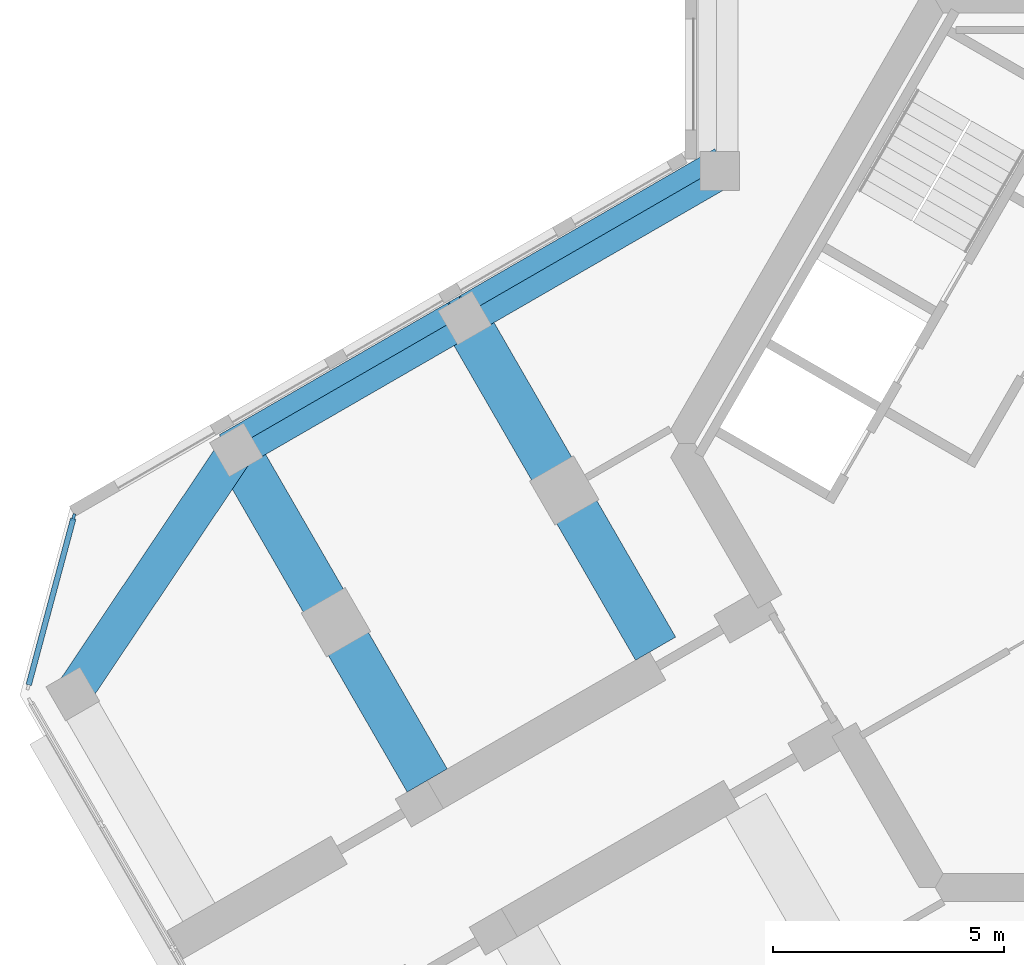
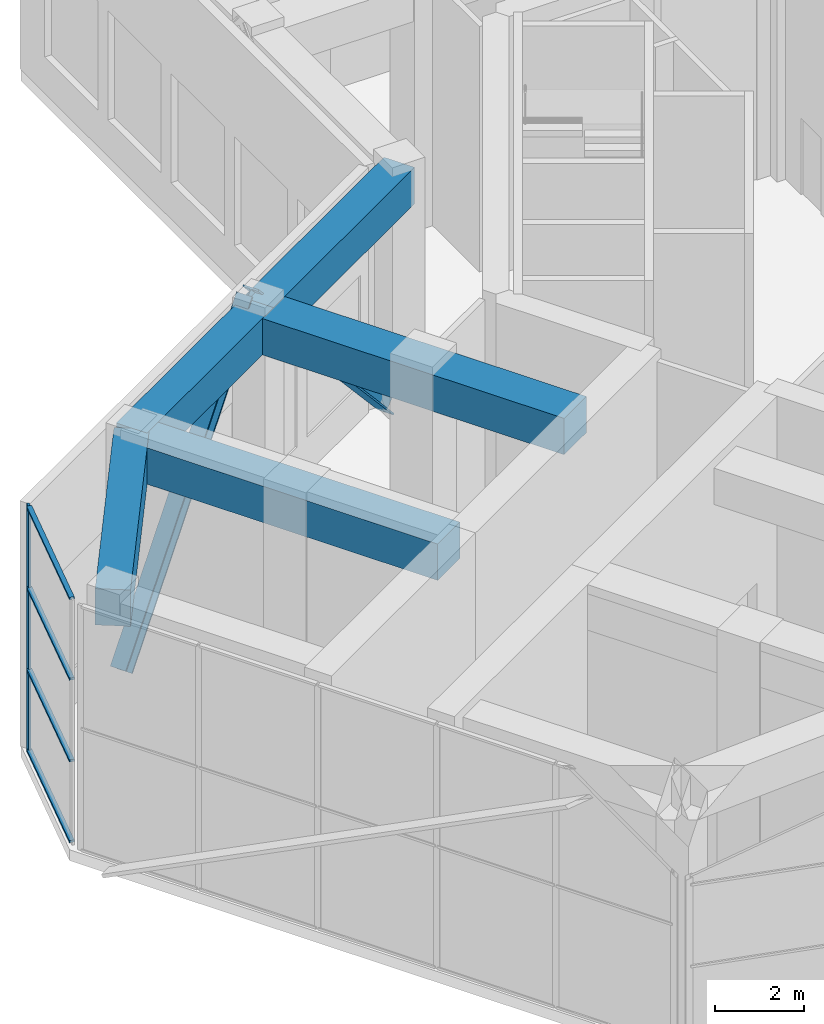
# One storey, part 3 of 12: 7 members, 5 beams, 1 element without a shape of its own.
"""IFC4 building model written with IfcOpenShell, lengths in metres."""

import ifcopenshell
import ifcopenshell.guid

model = None  # the IFC model being written
_history = None  # IfcOwnerHistory: only IFC2X3 demands one
_inside = {}  # id of a spatial element -> (the spatial element, [elements in it])
_under = {}  # id of a project, library or spatial element -> (it, [spatial elements below it])
_declared = {}  # id of a project -> (the project, [libraries it declares])
_typed = {}  # id of a type object -> (the type object, [elements of that type])
_made_of = {}  # id of a material, layer set ... -> (it, [elements and type objects made of it])


def new_model(schema):
    """Start an empty IFC model of exactly this schema.

    Asked for "IFC4X3", IfcOpenShell would pick the latest addendum, in which some entities
    have other attributes; the version numbers below select the first issue.
    IFC2X3 requires an IfcOwnerHistory on every rooted entity: one is made here for all.
    """
    global model, _history
    if schema == "IFC4X3":
        model = ifcopenshell.file(schema_version=(4, 3, 0, 0))
    else:
        model = ifcopenshell.file(schema=schema)
    _inside.clear()
    _under.clear()
    _declared.clear()
    _typed.clear()
    _made_of.clear()
    _history = None
    if model.schema == "IFC2X3":
        org = make("IfcOrganization", Name="unknown")
        user = make(
            "IfcPersonAndOrganization",
            ThePerson=make("IfcPerson", FamilyName="unknown"),
            TheOrganization=org,
        )
        app = make(
            "IfcApplication",
            ApplicationDeveloper=org,
            Version="unknown",
            ApplicationFullName="unknown",
            ApplicationIdentifier="unknown",
        )
        _history = make(
            "IfcOwnerHistory",
            OwningUser=user,
            OwningApplication=app,
            ChangeAction="ADDED",
            CreationDate=0,
        )
    return model


def make(cls, **values):
    """One entity of the class cls with the attributes given. An attribute that is None is left unset."""
    return model.create_entity(
        cls, **{name: value for name, value in values.items() if value is not None}
    )


def rooted(cls, **values):
    """An entity with a GlobalId (a new one), such as an element, a storey or a relation."""
    return make(cls, GlobalId=ifcopenshell.guid.new(), OwnerHistory=_history, **values)


def si_unit(unit_type, name, prefix=None):
    """IfcSIUnit, for example si_unit("LENGTHUNIT", "METRE", prefix="MILLI")."""
    return make("IfcSIUnit", UnitType=unit_type, Prefix=prefix, Name=name)


def assignment(units):
    """IfcUnitAssignment: the units of a project."""
    return None if units is None else make("IfcUnitAssignment", Units=units)


def point(xyz):
    """IfcCartesianPoint."""
    return None if xyz is None else make("IfcCartesianPoint", Coordinates=xyz)


def direction(xyz):
    """IfcDirection."""
    return None if xyz is None else make("IfcDirection", DirectionRatios=xyz)


def frame(location, z_axis=None, x_axis=None):
    """IfcAxis2Placement3D, a coordinate frame: its origin and axes. An axis left out is left unset."""
    return make(
        "IfcAxis2Placement3D",
        Location=point(location),
        Axis=direction(z_axis),
        RefDirection=direction(x_axis),
    )


def frame_2d(location, x_axis=None):
    """IfcAxis2Placement2D, a coordinate frame in the plane: its origin and x axis."""
    return make(
        "IfcAxis2Placement2D", Location=point(location), RefDirection=direction(x_axis)
    )


def origin():
    """The frame at (0, 0, 0) with its axes left unset."""
    return frame((0.0, 0.0, 0.0))


def origin_2d():
    """The frame at (0, 0) in the plane with its x axis left unset."""
    return frame_2d((0.0, 0.0))


def place(relative_to, where):
    """IfcLocalPlacement: puts the frame where relative to a parent placement (None: the world)."""
    return make(
        "IfcLocalPlacement", PlacementRelTo=relative_to, RelativePlacement=where
    )


def context(
    kind, dimensions, precision=None, world=None, true_north=None, identifier=None
):
    """IfcGeometricRepresentationContext, for example the 3D "Model" context."""
    return make(
        "IfcGeometricRepresentationContext",
        ContextIdentifier=identifier,
        ContextType=kind,
        CoordinateSpaceDimension=dimensions,
        Precision=precision,
        WorldCoordinateSystem=world,
        TrueNorth=true_north,
    )


def subcontext(parent, identifier, kind, view, scale=None):
    """IfcGeometricRepresentationSubContext, for example "Body" below "Model"."""
    return make(
        "IfcGeometricRepresentationSubContext",
        ContextIdentifier=identifier,
        ContextType=kind,
        ParentContext=parent,
        TargetScale=scale,
        TargetView=view,
    )


def project(units=None, contexts=None):
    """IfcProject with its units and contexts."""
    return rooted(
        "IfcProject",
        Name="project",
        RepresentationContexts=contexts,
        UnitsInContext=assignment(units),
    )


def spatial(cls, under=None, at=None, **own):
    """A site, building, storey or space (cls), placed at a placement, below another one or the project."""
    s = rooted(cls, ObjectPlacement=at, **own)
    if under is not None:
        _under.setdefault(under.id(), (under, []))[1].append(s)
    return s


def profile(cls, at=None, kind="AREA", **sizes):
    """A parametric profile (cls). Its sizes go by their IFC names, for example OverallWidth=200.0."""
    return make(cls, ProfileType=kind, Position=at, **sizes)


def rectangle(**sizes):
    """IfcRectangleProfileDef."""
    return profile("IfcRectangleProfileDef", **sizes)


def i_section(**sizes):
    """IfcIShapeProfileDef."""
    return profile("IfcIShapeProfileDef", **sizes)


def extrude(swept, where, along, depth):
    """IfcExtrudedAreaSolid: the profile swept, set in the frame where, extruded along a direction by depth."""
    return make(
        "IfcExtrudedAreaSolid",
        SweptArea=swept,
        Position=where,
        ExtrudedDirection=direction(along),
        Depth=depth,
    )


def shape(context_of_items, identifier, shape_type, items):
    """IfcShapeRepresentation: the items that make up one representation, for example the "Body"."""
    return make(
        "IfcShapeRepresentation",
        ContextOfItems=context_of_items,
        RepresentationIdentifier=identifier,
        RepresentationType=shape_type,
        Items=items,
    )


def material(Name=None, Category=None):
    """IfcMaterial."""
    return make("IfcMaterial", Name=Name, Category=Category)


def material_profile(
    of_material, cross_section, Name=None, Category=None, Priority=None
):
    """IfcMaterialProfile: a cross section and its material."""
    return make(
        "IfcMaterialProfile",
        Name=Name,
        Material=of_material,
        Profile=cross_section,
        Priority=Priority,
        Category=Category,
    )


def profile_set(profiles, Name=None, composite=None):
    """IfcMaterialProfileSet."""
    return make(
        "IfcMaterialProfileSet",
        Name=Name,
        MaterialProfiles=profiles,
        CompositeProfile=composite,
    )


def made_of(thing, what):
    """Note that an element or type object is made of a material, layer set ...; save() writes the relation."""
    if what is not None:
        _made_of.setdefault(what.id(), (what, []))[1].append(thing)
    return thing


def type_object(cls, material=None, **own):
    """A type object (cls), such as IfcWallType, which elements share."""
    return made_of(rooted(cls, **own), material)


def element(
    cls,
    number,
    at=None,
    inside=None,
    cuts=None,
    type_object=None,
    material=None,
    context=None,
    identifier="Body",
    shape_type=None,
    held_by="IfcProductDefinitionShape",
    body=None,
    shapes=None,
    **own,
):
    """One element of the class cls, such as IfcWall. Its Tag is "e" and its number.

    at: its placement. inside: the storey or other place that contains it. cuts: it is an
    opening in that element (IfcRelVoidsElement). A single representation is given by context,
    identifier, shape_type and body (its items); several are given by shapes. held_by: the class
    of the entity that holds the representations. save() writes the other relations.
    """
    e = rooted(cls, Tag="e%d" % number, ObjectPlacement=at, **own)
    if body is not None:
        shapes = [shape(context, identifier, shape_type, body)]
    if shapes is not None:
        e.Representation = make(held_by, Representations=shapes)
    if inside is not None:
        _inside.setdefault(inside.id(), (inside, []))[1].append(e)
    if cuts is not None:
        rooted(
            "IfcRelVoidsElement", RelatingBuildingElement=cuts, RelatedOpeningElement=e
        )
    if type_object is not None:
        _typed.setdefault(type_object.id(), (type_object, []))[1].append(e)
    return made_of(e, material)


def aggregate(whole, parts):
    """IfcRelAggregates: a whole, such as a stair, and the parts it consists of."""
    return rooted("IfcRelAggregates", RelatingObject=whole, RelatedObjects=parts)


def save(model, path):
    """Write the relations noted so far, then the file.

    IfcRelAggregates (storeys below a building ...), IfcRelContainedInSpatialStructure (elements
    in a storey), IfcRelDefinesByType, IfcRelAssociatesMaterial and IfcRelDeclares: one each for
    every whole, place, type object, material and project.
    """
    for whole, parts in _under.values():
        aggregate(whole, parts)
    for where, things in _inside.values():
        rooted(
            "IfcRelContainedInSpatialStructure",
            RelatedElements=things,
            RelatingStructure=where,
        )
    for kind, things in _typed.values():
        rooted("IfcRelDefinesByType", RelatedObjects=things, RelatingType=kind)
    for what, things in _made_of.values():
        rooted("IfcRelAssociatesMaterial", RelatedObjects=things, RelatingMaterial=what)
    for by, libraries in _declared.values():
        rooted("IfcRelDeclares", RelatingContext=by, RelatedDefinitions=libraries)
    model.write(path)


model = new_model("IFC4")

# Units and contexts
model_context = context("Model", 3, precision=1e-05, world=origin(), true_north=direction((0.0, 1.0)))
body_context = subcontext(model_context, "Body", "Model", "MODEL_VIEW")
ifc_project = project(units=[si_unit("LENGTHUNIT", "METRE"), si_unit("AREAUNIT", "SQUARE_METRE"), si_unit("VOLUMEUNIT", "CUBIC_METRE"), si_unit("PLANEANGLEUNIT", "RADIAN"), si_unit("MASSUNIT", "GRAM", prefix="KILO")], contexts=[model_context])

# Site, building, storey
site_placement = place(None, origin())
site = spatial("IfcSite", under=ifc_project, at=site_placement, CompositionType="ELEMENT")
building_placement = place(site_placement, origin())
building = spatial("IfcBuilding", under=site, at=building_placement, Name="Kosmar Iwan School Tower", CompositionType="ELEMENT")
storey_placement = place(building_placement, frame((0.0, 0.0, 260.39990234375)))
storey = spatial("IfcBuildingStorey", under=building, at=storey_placement, Name="L66", CompositionType="ELEMENT", Elevation=260.39990234375)

# Members
ifc_material_1 = material(Name="Steel S355", Category="steel")
ifc_material_profile_1 = material_profile(ifc_material_1, i_section(OverallWidth=0.404052734375, OverallDepth=0.406982421875, WebThickness=0.027099609375, FlangeThickness=0.043701171875, FilletRadius=0.014892578125, at=origin_2d()), Name="HD 400x347")
ifc_profile_set_1 = profile_set([ifc_material_profile_1], Name="Steel S355")
member_type_1 = type_object("IfcMemberType", Name="Belt truss diagonal HD 400x347", PredefinedType="BRACE", material=ifc_profile_set_1)
member_1_placement = place(storey_placement, frame((-10.333984375, 6.12109375, 0.0), z_axis=(-0.58945737682, -0.340314715823, 0.732615789556), x_axis=(0.49999045822, -0.866030912664, 0.0)))
element("IfcMember", 1, at=member_1_placement, inside=storey, type_object=member_type_1, Name="Belt truss diagonal BR1", PredefinedType="BRACE", context=body_context, shape_type="SweptSolid", body=[
    extrude(i_section(OverallWidth=0.404052734375, OverallDepth=0.406982421875, WebThickness=0.027099609375, FlangeThickness=0.043701171875, FilletRadius=0.014892578125, at=origin_2d()), origin(), (0.0, 0.0, 1.0), 9.345458984375),
])
member_2_placement = place(storey_placement, frame((-15.8427734375, 2.940673828125, 6.8466796875), z_axis=(-0.554089507347, -0.319918933121, -0.768528915577), x_axis=(0.50001782563, -0.866015111908, 0.0)))
element("IfcMember", 2, at=member_2_placement, inside=storey, type_object=member_type_1, Name="Belt truss diagonal BR2", PredefinedType="BRACE", context=body_context, shape_type="SweptSolid", body=[
    extrude(i_section(OverallWidth=0.404052734375, OverallDepth=0.406982421875, WebThickness=0.027099609375, FlangeThickness=0.043701171875, FilletRadius=0.014892578125, at=origin_2d()), origin(), (0.0, 0.0, 1.0), 8.90869140625),
])

# Beams
ifc_material_2 = material(Name="Concrete C50/60", Category="concrete")
ifc_material_profile_2 = material_profile(ifc_material_2, rectangle(XDim=0.800048828125, YDim=1.0, at=origin_2d()), Name="RC 800x1000 + HD 400x634")
ifc_profile_set_2 = profile_set([ifc_material_profile_2], Name="Concrete C50/60")
beam_type_1 = type_object("IfcBeamType", Name="Composite edge beam 800x1000 HD 400x634", PredefinedType="BEAM", material=ifc_profile_set_2)
beam_1_placement = place(storey_placement, frame((-10.199951171875, 5.888916015625, 6.25), z_axis=(-0.866030912664, -0.49999045822, 0.0), x_axis=(0.49999045822, -0.866030912664, 0.0)))
element("IfcBeam", 3, at=beam_1_placement, inside=storey, type_object=beam_type_1, Name="Edge beam BR1", PredefinedType="BEAM", context=body_context, shape_type="SweptSolid", body=[
    extrude(rectangle(XDim=0.800048828125, YDim=1.0, at=origin_2d()), origin(), (0.0, 0.0, 1.0), 6.36083984375),
])
beam_2_placement = place(storey_placement, frame((-15.708740234375, 2.70849609375, 6.25), z_axis=(-0.866025820012, -0.499999279071, 0.0), x_axis=(0.499999279071, -0.866025820012, 0.0)))
element("IfcBeam", 4, at=beam_2_placement, inside=storey, type_object=beam_type_1, Name="Edge beam BR2", PredefinedType="BEAM", context=body_context, shape_type="SweptSolid", body=[
    extrude(rectangle(XDim=0.800048828125, YDim=1.0, at=origin_2d()), origin(), (0.0, 0.0, 1.0), 5.7001953125),
])
ifc_material_3 = material(Name="Concrete C50/60", Category="concrete")
ifc_material_profile_3 = material_profile(ifc_material_3, rectangle(XDim=1.0, YDim=1.0, at=origin_2d()), Name="RC 1000x1000 + HD 400x347")
ifc_profile_set_3 = profile_set([ifc_material_profile_3], Name="Concrete C50/60")
beam_type_2 = type_object("IfcBeamType", Name="Composite transverse beam 1000x1000 HD 400x347", PredefinedType="BEAM", material=ifc_profile_set_3)
beam_3_placement = place(storey_placement, frame((-15.708740234375, 2.70849609375, 6.25), z_axis=(0.499996545922, -0.866027397988, 0.0), x_axis=(0.866027397988, 0.499996545922, 0.0)))
element("IfcBeam", 5, at=beam_3_placement, inside=storey, type_object=beam_type_2, Name="Transverse beam BR1", PredefinedType="BEAM", context=body_context, shape_type="SweptSolid", body=[
    extrude(rectangle(XDim=1.0, YDim=1.0, at=origin_2d()), origin(), (0.0, 0.0, 1.0), 8.25),
])
beam_4_placement = place(storey_placement, frame((-20.645263671875, -0.1416015625, 6.25), z_axis=(0.500009360108, -0.866019999656, 0.0), x_axis=(0.866019999656, 0.500009360108, 0.0)))
element("IfcBeam", 6, at=beam_4_placement, inside=storey, type_object=beam_type_2, Name="Transverse beam BR2", PredefinedType="BEAM", context=body_context, shape_type="SweptSolid", body=[
    extrude(rectangle(XDim=1.0, YDim=1.0, at=origin_2d()), origin(), (0.0, 0.0, 1.0), 8.249755859375),
])

# Curtain wall, member
ifc_material_4 = material(Name="Dark glass in black aluminium frame", Category="aluminium")
curtain_wall_type = type_object("IfcCurtainWallType", Name="Chamfer curtain wall dark glass", PredefinedType="USERDEFINED", material=ifc_material_4)
curtain_wall_placement = place(storey_placement, origin())
curtain_wall = element("IfcCurtainWall", 7, at=curtain_wall_placement, inside=storey, type_object=curtain_wall_type, Name="Curtain wall L66-F10", ObjectType="FACETED CURTAIN WALL", PredefinedType="USERDEFINED")
ifc_material_5 = material(Name="Black anodised aluminium", Category="aluminium")
ifc_material_profile_4 = material_profile(ifc_material_5, rectangle(XDim=0.06005859375, YDim=0.159912109375, at=origin_2d()), Name="MULLION 60x160")
ifc_profile_set_4 = profile_set([ifc_material_profile_4], Name="Black anodised aluminium")
member_type_2 = type_object("IfcMemberType", Name="Mullion 60x160", PredefinedType="MULLION", material=ifc_profile_set_4)
member_3_placement = place(storey_placement, frame((-24.163818359375, -1.59814453125, 0.0), z_axis=(0.0, 0.0, 1.0), x_axis=(0.965925875495, -0.258818861462, 0.0)))
member_3 = element("IfcMember", 8, at=member_3_placement, type_object=member_type_2, Name="CW2 mullion 1", PredefinedType="MULLION", context=body_context, shape_type="SweptSolid", body=[
    extrude(rectangle(XDim=0.06005859375, YDim=0.159912109375, at=origin_2d()), origin(), (0.0, 0.0, 1.0), 6.75),
])

# Beam
ifc_material_6 = material(Name="Concrete C50/60", Category="concrete")
ifc_material_profile_5 = material_profile(ifc_material_6, rectangle(XDim=0.800048828125, YDim=1.0, at=origin_2d()), Name="RC 800x1000")
ifc_profile_set_5 = profile_set([ifc_material_profile_5], Name="Concrete C50/60")
beam_type_3 = type_object("IfcBeamType", Name="RC tip beam 800x1000", PredefinedType="BEAM", material=ifc_profile_set_5)
beam_5_placement = place(storey_placement, frame((-20.645263671875, -0.1416015625, 6.25), z_axis=(-0.556827604145, -0.83062808721, 0.0), x_axis=(0.83062808721, -0.556827604145, 0.0)))
element("IfcBeam", 9, at=beam_5_placement, inside=storey, type_object=beam_type_3, Name="Tip beam BR", PredefinedType="BEAM", context=body_context, shape_type="SweptSolid", body=[
    extrude(rectangle(XDim=0.800048828125, YDim=1.0, at=origin_2d()), origin(), (0.0, 0.0, 1.0), 6.3505859375),
])

# Member
ifc_material_7 = material(Name="Black anodised aluminium", Category="aluminium")
ifc_material_profile_6 = material_profile(ifc_material_7, rectangle(XDim=0.1201171875, YDim=0.06005859375, at=origin_2d()), Name="TRANSOM 60x120")
ifc_profile_set_6 = profile_set([ifc_material_profile_6], Name="Black anodised aluminium")
member_type_3 = type_object("IfcMemberType", Name="Transom 60x120", PredefinedType="USERDEFINED", material=ifc_profile_set_6)
member_4_placement = place(storey_placement, frame((-24.17138671875, -1.627197265625, 0.030029296875), z_axis=(-0.258843273983, -0.965919333854, 0.0), x_axis=(0.965919333854, -0.258843273983, 0.0)))
member_4 = element("IfcMember", 10, at=member_4_placement, type_object=member_type_3, Name="CW2 transom 1.1", ObjectType="TRANSOM", PredefinedType="USERDEFINED", context=body_context, shape_type="SweptSolid", body=[
    extrude(rectangle(XDim=0.1201171875, YDim=0.06005859375, at=origin_2d()), origin(), (0.0, 0.0, 1.0), 3.718994140625),
])

member_5_placement = place(storey_placement, frame((-24.17138671875, -1.627197265625, 2.25), z_axis=(-0.258843273983, -0.965919333854, 0.0), x_axis=(0.965919333854, -0.258843273983, 0.0)))
member_5 = element("IfcMember", 11, at=member_5_placement, type_object=member_type_3, Name="CW2 transom 1.2", ObjectType="TRANSOM", PredefinedType="USERDEFINED", context=body_context, shape_type="SweptSolid", body=[
    extrude(rectangle(XDim=0.1201171875, YDim=0.06005859375, at=origin_2d()), origin(), (0.0, 0.0, 1.0), 3.718994140625),
])

member_6_placement = place(storey_placement, frame((-24.17138671875, -1.627197265625, 4.5), z_axis=(-0.258843273983, -0.965919333854, 0.0), x_axis=(0.965919333854, -0.258843273983, 0.0)))
member_6 = element("IfcMember", 12, at=member_6_placement, type_object=member_type_3, Name="CW2 transom 1.3", ObjectType="TRANSOM", PredefinedType="USERDEFINED", context=body_context, shape_type="SweptSolid", body=[
    extrude(rectangle(XDim=0.1201171875, YDim=0.06005859375, at=origin_2d()), origin(), (0.0, 0.0, 1.0), 3.718994140625),
])

member_7_placement = place(storey_placement, frame((-24.17138671875, -1.627197265625, 6.72021484375), z_axis=(-0.258843273983, -0.965919333854, 0.0), x_axis=(0.965919333854, -0.258843273983, 0.0)))
member_7 = element("IfcMember", 13, at=member_7_placement, type_object=member_type_3, Name="CW2 transom 1.4", ObjectType="TRANSOM", PredefinedType="USERDEFINED", context=body_context, shape_type="SweptSolid", body=[
    extrude(rectangle(XDim=0.1201171875, YDim=0.06005859375, at=origin_2d()), origin(), (0.0, 0.0, 1.0), 3.718994140625),
])

aggregate(curtain_wall, [member_3, member_4, member_5, member_6, member_7])

save(model, "model.ifc")
